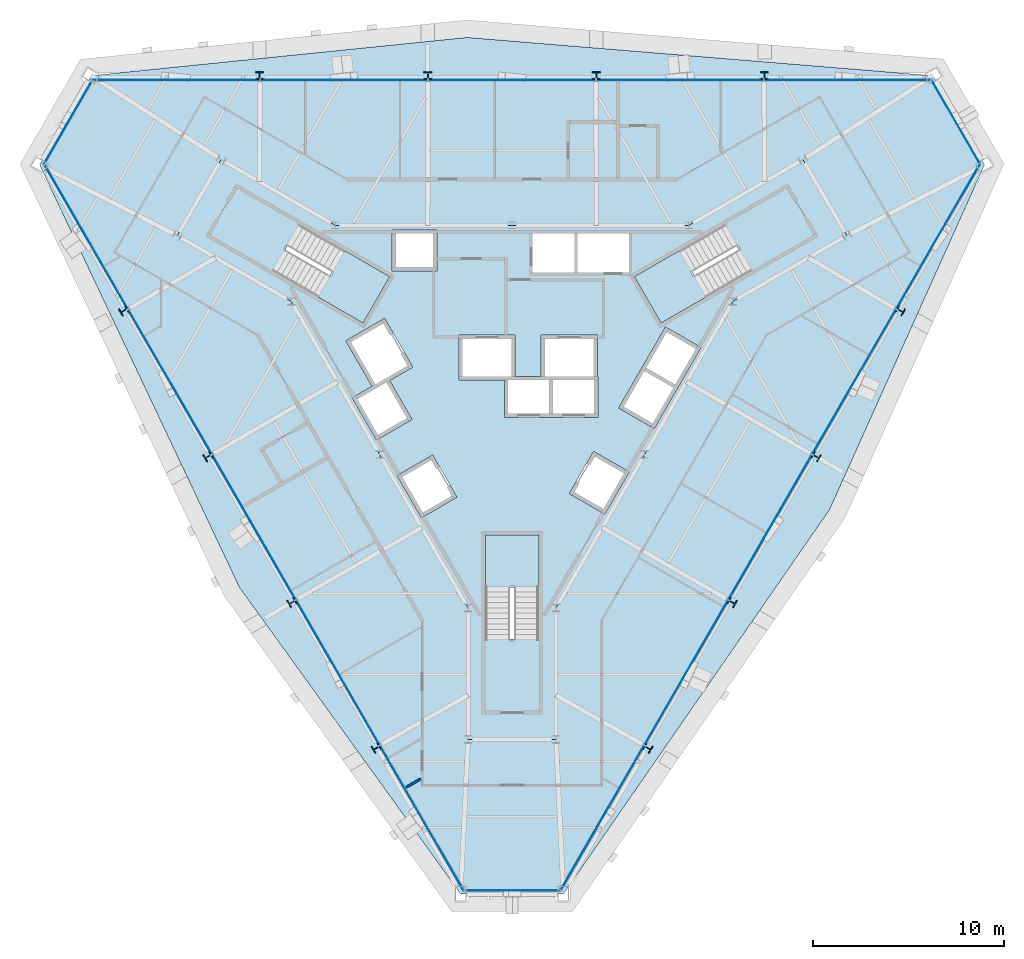
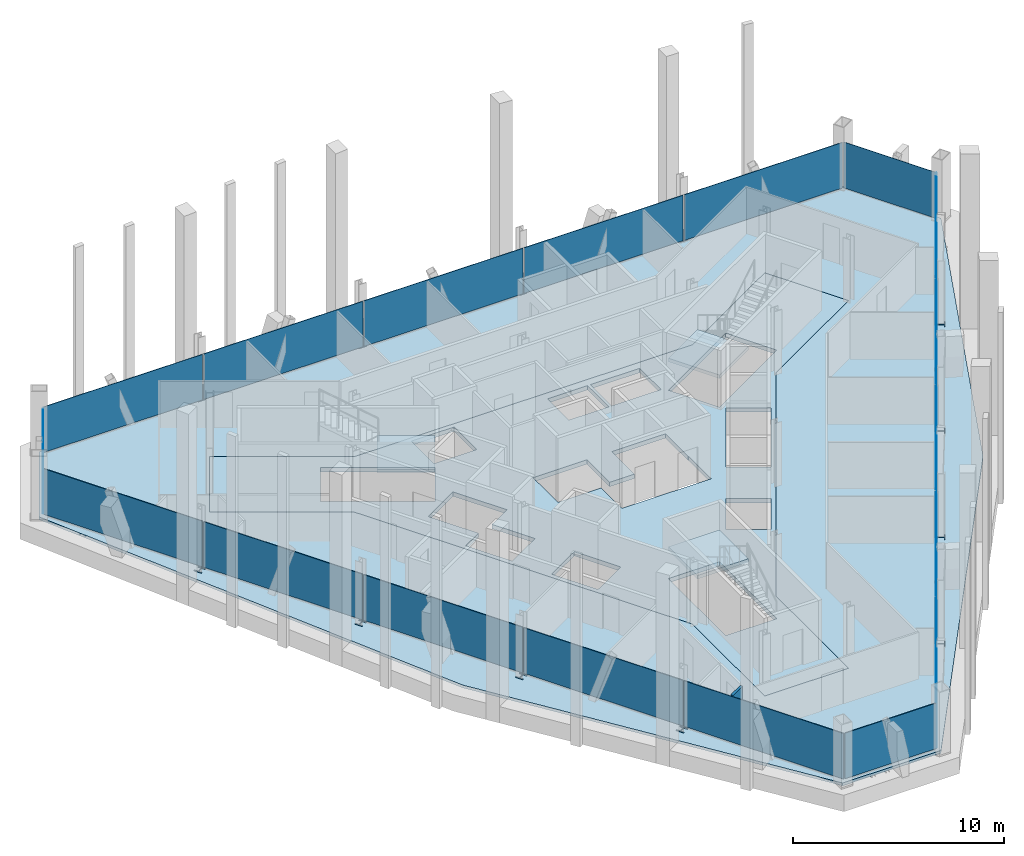
# One storey, part 8 of 14: 18 plates, 12 members, 5 slabs, 1 wall, 9 elements without a shape of their own.
"""IFC4 building model written with IfcOpenShell, lengths in metres."""

import ifcopenshell
import ifcopenshell.guid

model = None  # the IFC model being written
_history = None  # IfcOwnerHistory: only IFC2X3 demands one
_inside = {}  # id of a spatial element -> (the spatial element, [elements in it])
_under = {}  # id of a project, library or spatial element -> (it, [spatial elements below it])
_declared = {}  # id of a project -> (the project, [libraries it declares])
_typed = {}  # id of a type object -> (the type object, [elements of that type])
_made_of = {}  # id of a material, layer set ... -> (it, [elements and type objects made of it])


def new_model(schema):
    """Start an empty IFC model of exactly this schema.

    Asked for "IFC4X3", IfcOpenShell would pick the latest addendum, in which some entities
    have other attributes; the version numbers below select the first issue.
    IFC2X3 requires an IfcOwnerHistory on every rooted entity: one is made here for all.
    """
    global model, _history
    if schema == "IFC4X3":
        model = ifcopenshell.file(schema_version=(4, 3, 0, 0))
    else:
        model = ifcopenshell.file(schema=schema)
    _inside.clear()
    _under.clear()
    _declared.clear()
    _typed.clear()
    _made_of.clear()
    _history = None
    if model.schema == "IFC2X3":
        org = make("IfcOrganization", Name="unknown")
        user = make(
            "IfcPersonAndOrganization",
            ThePerson=make("IfcPerson", FamilyName="unknown"),
            TheOrganization=org,
        )
        app = make(
            "IfcApplication",
            ApplicationDeveloper=org,
            Version="unknown",
            ApplicationFullName="unknown",
            ApplicationIdentifier="unknown",
        )
        _history = make(
            "IfcOwnerHistory",
            OwningUser=user,
            OwningApplication=app,
            ChangeAction="ADDED",
            CreationDate=0,
        )
    return model


def make(cls, **values):
    """One entity of the class cls with the attributes given. An attribute that is None is left unset."""
    return model.create_entity(
        cls, **{name: value for name, value in values.items() if value is not None}
    )


def rooted(cls, **values):
    """An entity with a GlobalId (a new one), such as an element, a storey or a relation."""
    return make(cls, GlobalId=ifcopenshell.guid.new(), OwnerHistory=_history, **values)


def si_unit(unit_type, name, prefix=None):
    """IfcSIUnit, for example si_unit("LENGTHUNIT", "METRE", prefix="MILLI")."""
    return make("IfcSIUnit", UnitType=unit_type, Prefix=prefix, Name=name)


def assignment(units):
    """IfcUnitAssignment: the units of a project."""
    return None if units is None else make("IfcUnitAssignment", Units=units)


def point(xyz):
    """IfcCartesianPoint."""
    return None if xyz is None else make("IfcCartesianPoint", Coordinates=xyz)


def direction(xyz):
    """IfcDirection."""
    return None if xyz is None else make("IfcDirection", DirectionRatios=xyz)


def frame(location, z_axis=None, x_axis=None):
    """IfcAxis2Placement3D, a coordinate frame: its origin and axes. An axis left out is left unset."""
    return make(
        "IfcAxis2Placement3D",
        Location=point(location),
        Axis=direction(z_axis),
        RefDirection=direction(x_axis),
    )


def frame_2d(location, x_axis=None):
    """IfcAxis2Placement2D, a coordinate frame in the plane: its origin and x axis."""
    return make(
        "IfcAxis2Placement2D", Location=point(location), RefDirection=direction(x_axis)
    )


def origin():
    """The frame at (0, 0, 0) with its axes left unset."""
    return frame((0.0, 0.0, 0.0))


def origin_2d():
    """The frame at (0, 0) in the plane with its x axis left unset."""
    return frame_2d((0.0, 0.0))


def place(relative_to, where):
    """IfcLocalPlacement: puts the frame where relative to a parent placement (None: the world)."""
    return make(
        "IfcLocalPlacement", PlacementRelTo=relative_to, RelativePlacement=where
    )


def context(
    kind, dimensions, precision=None, world=None, true_north=None, identifier=None
):
    """IfcGeometricRepresentationContext, for example the 3D "Model" context."""
    return make(
        "IfcGeometricRepresentationContext",
        ContextIdentifier=identifier,
        ContextType=kind,
        CoordinateSpaceDimension=dimensions,
        Precision=precision,
        WorldCoordinateSystem=world,
        TrueNorth=true_north,
    )


def subcontext(parent, identifier, kind, view, scale=None):
    """IfcGeometricRepresentationSubContext, for example "Body" below "Model"."""
    return make(
        "IfcGeometricRepresentationSubContext",
        ContextIdentifier=identifier,
        ContextType=kind,
        ParentContext=parent,
        TargetScale=scale,
        TargetView=view,
    )


def project(units=None, contexts=None):
    """IfcProject with its units and contexts."""
    return rooted(
        "IfcProject",
        Name="project",
        RepresentationContexts=contexts,
        UnitsInContext=assignment(units),
    )


def spatial(cls, under=None, at=None, **own):
    """A site, building, storey or space (cls), placed at a placement, below another one or the project."""
    s = rooted(cls, ObjectPlacement=at, **own)
    if under is not None:
        _under.setdefault(under.id(), (under, []))[1].append(s)
    return s


def polyline(points):
    """IfcPolyline through the points."""
    return make("IfcPolyline", Points=[point(p) for p in points])


def profile(cls, at=None, kind="AREA", **sizes):
    """A parametric profile (cls). Its sizes go by their IFC names, for example OverallWidth=200.0."""
    return make(cls, ProfileType=kind, Position=at, **sizes)


def rectangle(**sizes):
    """IfcRectangleProfileDef."""
    return profile("IfcRectangleProfileDef", **sizes)


def i_section(**sizes):
    """IfcIShapeProfileDef."""
    return profile("IfcIShapeProfileDef", **sizes)


def outline(outer, holes=None, kind="AREA"):
    """IfcArbitraryClosedProfileDef: a profile drawn as a closed curve; with holes, ...WithVoids."""
    if holes is None:
        return make("IfcArbitraryClosedProfileDef", ProfileType=kind, OuterCurve=outer)
    return make(
        "IfcArbitraryProfileDefWithVoids",
        ProfileType=kind,
        OuterCurve=outer,
        InnerCurves=holes,
    )


def extrude(swept, where, along, depth):
    """IfcExtrudedAreaSolid: the profile swept, set in the frame where, extruded along a direction by depth."""
    return make(
        "IfcExtrudedAreaSolid",
        SweptArea=swept,
        Position=where,
        ExtrudedDirection=direction(along),
        Depth=depth,
    )


def shape(context_of_items, identifier, shape_type, items):
    """IfcShapeRepresentation: the items that make up one representation, for example the "Body"."""
    return make(
        "IfcShapeRepresentation",
        ContextOfItems=context_of_items,
        RepresentationIdentifier=identifier,
        RepresentationType=shape_type,
        Items=items,
    )


def material(Name=None, Category=None):
    """IfcMaterial."""
    return make("IfcMaterial", Name=Name, Category=Category)


def layer(
    of_material, thickness, ventilated=None, Name=None, Category=None, Priority=None
):
    """IfcMaterialLayer: one layer of a wall or slab, of a material (None: an air gap)."""
    return make(
        "IfcMaterialLayer",
        Material=of_material,
        LayerThickness=thickness,
        IsVentilated=ventilated,
        Name=Name,
        Category=Category,
        Priority=Priority,
    )


def layer_set(layers, Name=None):
    """IfcMaterialLayerSet."""
    return make("IfcMaterialLayerSet", MaterialLayers=layers, LayerSetName=Name)


def material_profile(
    of_material, cross_section, Name=None, Category=None, Priority=None
):
    """IfcMaterialProfile: a cross section and its material."""
    return make(
        "IfcMaterialProfile",
        Name=Name,
        Material=of_material,
        Profile=cross_section,
        Priority=Priority,
        Category=Category,
    )


def profile_set(profiles, Name=None, composite=None):
    """IfcMaterialProfileSet."""
    return make(
        "IfcMaterialProfileSet",
        Name=Name,
        MaterialProfiles=profiles,
        CompositeProfile=composite,
    )


def made_of(thing, what):
    """Note that an element or type object is made of a material, layer set ...; save() writes the relation."""
    if what is not None:
        _made_of.setdefault(what.id(), (what, []))[1].append(thing)
    return thing


def type_object(cls, material=None, **own):
    """A type object (cls), such as IfcWallType, which elements share."""
    return made_of(rooted(cls, **own), material)


def element(
    cls,
    number,
    at=None,
    inside=None,
    cuts=None,
    type_object=None,
    material=None,
    context=None,
    identifier="Body",
    shape_type=None,
    held_by="IfcProductDefinitionShape",
    body=None,
    shapes=None,
    **own,
):
    """One element of the class cls, such as IfcWall. Its Tag is "e" and its number.

    at: its placement. inside: the storey or other place that contains it. cuts: it is an
    opening in that element (IfcRelVoidsElement). A single representation is given by context,
    identifier, shape_type and body (its items); several are given by shapes. held_by: the class
    of the entity that holds the representations. save() writes the other relations.
    """
    e = rooted(cls, Tag="e%d" % number, ObjectPlacement=at, **own)
    if body is not None:
        shapes = [shape(context, identifier, shape_type, body)]
    if shapes is not None:
        e.Representation = make(held_by, Representations=shapes)
    if inside is not None:
        _inside.setdefault(inside.id(), (inside, []))[1].append(e)
    if cuts is not None:
        rooted(
            "IfcRelVoidsElement", RelatingBuildingElement=cuts, RelatedOpeningElement=e
        )
    if type_object is not None:
        _typed.setdefault(type_object.id(), (type_object, []))[1].append(e)
    return made_of(e, material)


def aggregate(whole, parts):
    """IfcRelAggregates: a whole, such as a stair, and the parts it consists of."""
    return rooted("IfcRelAggregates", RelatingObject=whole, RelatedObjects=parts)


def save(model, path):
    """Write the relations noted so far, then the file.

    IfcRelAggregates (storeys below a building ...), IfcRelContainedInSpatialStructure (elements
    in a storey), IfcRelDefinesByType, IfcRelAssociatesMaterial and IfcRelDeclares: one each for
    every whole, place, type object, material and project.
    """
    for whole, parts in _under.values():
        aggregate(whole, parts)
    for where, things in _inside.values():
        rooted(
            "IfcRelContainedInSpatialStructure",
            RelatedElements=things,
            RelatingStructure=where,
        )
    for kind, things in _typed.values():
        rooted("IfcRelDefinesByType", RelatedObjects=things, RelatingType=kind)
    for what, things in _made_of.values():
        rooted("IfcRelAssociatesMaterial", RelatedObjects=things, RelatingMaterial=what)
    for by, libraries in _declared.values():
        rooted("IfcRelDeclares", RelatingContext=by, RelatedDefinitions=libraries)
    model.write(path)


model = new_model("IFC4")

# Units and contexts
model_context = context("Model", 3, precision=1e-05, world=origin(), true_north=direction((0.0, 1.0)))
body_context = subcontext(model_context, "Body", "Model", "MODEL_VIEW")
ifc_project = project(units=[si_unit("LENGTHUNIT", "METRE"), si_unit("AREAUNIT", "SQUARE_METRE"), si_unit("VOLUMEUNIT", "CUBIC_METRE"), si_unit("PLANEANGLEUNIT", "RADIAN"), si_unit("MASSUNIT", "GRAM", prefix="KILO")], contexts=[model_context])

# Site, building, storey
site_placement = place(None, origin())
site = spatial("IfcSite", under=ifc_project, at=site_placement, CompositionType="ELEMENT")
building_placement = place(site_placement, origin())
building = spatial("IfcBuilding", under=site, at=building_placement, Name="Verrane Prism Tower", CompositionType="ELEMENT")
storey_placement = place(building_placement, frame((0.0, 0.0, 217.5)))
storey = spatial("IfcBuildingStorey", under=building, at=storey_placement, Name="L54", CompositionType="ELEMENT", Elevation=217.5)

# Members
ifc_material_1 = material(Name="Steel A992", Category="steel")
ifc_material_profile = material_profile(ifc_material_1, i_section(OverallWidth=0.4013671875, OverallDepth=0.398681640625, WebThickness=0.02490234375, FlangeThickness=0.03955078125, FilletRadius=0.01513671875, at=origin_2d()), Name="W14x211")
ifc_profile_set = profile_set([ifc_material_profile], Name="Steel A992")
member_type = type_object("IfcMemberType", Name="Kink node W14x211", PredefinedType="COLLAR", material=ifc_profile_set)
member_1_placement = place(storey_placement, frame((13.21875, 15.826171875, -0.0400390625), z_axis=(0.0, 0.0, 1.0), x_axis=(1.0, 0.0, 0.0)))
element("IfcMember", 1, at=member_1_placement, inside=storey, type_object=member_type, Name="Kink node PC8 L54", PredefinedType="COLLAR", context=body_context, shape_type="SweptSolid", body=[
    extrude(i_section(OverallWidth=0.4013671875, OverallDepth=0.398681640625, WebThickness=0.02490234375, FlangeThickness=0.03955078125, FilletRadius=0.01513671875, at=origin_2d()), origin(), (0.0, 0.0, 1.0), 0.080078125),
])
for number, where, z_axis, x_axis, name in (
    (2, (4.409423828125, 15.82666015625, -0.034912109375), (0.0, 0.0, 1.0), (1.0, 0.0, 0.0), "Kink node PC8 L54"),
    (3, (-4.409423828125, 15.82666015625, -0.034912109375), (0.0, 0.0, 1.0), (1.0, 0.0, 0.0), "Kink node PC8 L54"),
):
    element("IfcMember", number, at=place(storey_placement, frame(where, z_axis=z_axis, x_axis=x_axis)), inside=storey, type_object=member_type, Name=name, PredefinedType="COLLAR", context=body_context, shape_type="SweptSolid", body=[
        extrude(i_section(OverallWidth=0.4013671875, OverallDepth=0.398681640625, WebThickness=0.02490234375, FlangeThickness=0.03955078125, FilletRadius=0.01513671875, at=origin_2d()), origin(), (0.0, 0.0, 1.0), 0.06982421875),
    ])
member_2_placement = place(storey_placement, frame((-13.21875, 15.826171875, -0.0400390625), z_axis=(0.0, 0.0, 1.0), x_axis=(1.0, 0.0, 0.0)))
element("IfcMember", 4, at=member_2_placement, inside=storey, type_object=member_type, Name="Kink node PC8 L54", PredefinedType="COLLAR", context=body_context, shape_type="SweptSolid", body=[
    extrude(i_section(OverallWidth=0.4013671875, OverallDepth=0.398681640625, WebThickness=0.02490234375, FlangeThickness=0.03955078125, FilletRadius=0.01513671875, at=origin_2d()), origin(), (0.0, 0.0, 1.0), 0.080078125),
])
for number, where, z_axis, x_axis, name in (
    (5, (7.09765625, -19.357421875, -0.034912109375), (0.0, 0.0, 1.0), (-0.5, -0.866025403784, 0.0), "Kink node PC8 L54"),
    (6, (11.50732421875, -11.72802734375, -0.034912109375), (0.0, 0.0, 1.0), (-0.5, -0.866025403784, 0.0), "Kink node PC8 L54"),
    (7, (15.906982421875, -4.0986328125, -0.034912109375), (0.0, 0.0, 1.0), (-0.5, -0.866025403784, 0.0), "Kink node PC8 L54"),
):
    element("IfcMember", number, at=place(storey_placement, frame(where, z_axis=z_axis, x_axis=x_axis)), inside=storey, type_object=member_type, Name=name, PredefinedType="COLLAR", context=body_context, shape_type="SweptSolid", body=[
        extrude(i_section(OverallWidth=0.4013671875, OverallDepth=0.398681640625, WebThickness=0.02490234375, FlangeThickness=0.03955078125, FilletRadius=0.01513671875, at=origin_2d()), origin(), (0.0, 0.0, 1.0), 0.06982421875),
    ])
for number, where, z_axis, x_axis, name in (
    (8, (20.316162109375, 3.53076171875, -0.0400390625), (0.0, 0.0, 1.0), (-0.5, -0.866025403784, 0.0), "Kink node PC8 L54"),
    (9, (-20.316162109375, 3.53076171875, -0.0400390625), (0.0, 0.0, 1.0), (-0.5, 0.866025403784, 0.0), "Kink node PC8 L54"),
):
    element("IfcMember", number, at=place(storey_placement, frame(where, z_axis=z_axis, x_axis=x_axis)), inside=storey, type_object=member_type, Name=name, PredefinedType="COLLAR", context=body_context, shape_type="SweptSolid", body=[
        extrude(i_section(OverallWidth=0.4013671875, OverallDepth=0.398681640625, WebThickness=0.02490234375, FlangeThickness=0.03955078125, FilletRadius=0.01513671875, at=origin_2d()), origin(), (0.0, 0.0, 1.0), 0.080078125),
    ])
for number, where, z_axis, x_axis, name in (
    (10, (-15.906982421875, -4.0986328125, -0.034912109375), (0.0, 0.0, 1.0), (-0.5, 0.866025403784, 0.0), "Kink node PC8 L54"),
    (11, (-11.50732421875, -11.72802734375, -0.034912109375), (0.0, 0.0, 1.0), (-0.5, 0.866025403784, 0.0), "Kink node PC8 L54"),
    (12, (-7.09765625, -19.357421875, -0.034912109375), (0.0, 0.0, 1.0), (-0.5, 0.866025403784, 0.0), "Kink node PC8 L54"),
):
    element("IfcMember", number, at=place(storey_placement, frame(where, z_axis=z_axis, x_axis=x_axis)), inside=storey, type_object=member_type, Name=name, PredefinedType="COLLAR", context=body_context, shape_type="SweptSolid", body=[
        extrude(i_section(OverallWidth=0.4013671875, OverallDepth=0.398681640625, WebThickness=0.02490234375, FlangeThickness=0.03955078125, FilletRadius=0.01513671875, at=origin_2d()), origin(), (0.0, 0.0, 1.0), 0.06982421875),
    ])

# Slabs
ifc_material_2 = material(Name="Concrete C35/45", Category="concrete")
ifc_layer_1 = layer(ifc_material_2, 0.159912109375)
ifc_layer_set_1 = layer_set([ifc_layer_1], Name="Composite floor slab")
slab_type_1 = type_object("IfcSlabType", Name="Composite floor slab", PredefinedType="FLOOR", material=ifc_layer_set_1)
slab_1_placement = place(storey_placement, frame((0.0, 0.0, -0.159912109375)))
element("IfcSlab", 13, at=slab_1_placement, inside=storey, type_object=slab_type_1, Name="Floor slab L54", PredefinedType="FLOOR", context=body_context, shape_type="SweptSolid", body=[
    extrude(outline(polyline([(16.6162109375, -6.880126953125), (2.695068359375, -26.9921875), (-2.695068359375, -26.9921875), (-14.266357421875, -10.949951171875), (-24.723388671875, 11.162109375), (-22.0283203125, 15.830078125), (-2.349609375, 17.830078125), (22.0283203125, 15.830078125), (24.723388671875, 11.162109375), (16.6162109375, -6.880126953125)]), holes=[polyline([(17.52001953125, 7.4599609375), (15.219970703125, 11.43994140625), (9.260009765625, 8.0), (0.0, 8.0), (-9.260009765625, 8.0), (-15.219970703125, 11.43994140625), (-17.52001953125, 7.4599609375), (-11.56005859375, 4.02001953125), (-6.929931640625, -4.0), (-2.300048828125, -12.02001953125), (-2.300048828125, -18.89990234375), (2.300048828125, -18.89990234375), (2.300048828125, -12.02001953125), (6.929931640625, -4.0), (11.56005859375, 4.02001953125), (17.52001953125, 7.4599609375)])]), origin(), (0.0, 0.0, 1.0), 0.159912109375),
])
ifc_material_3 = material(Name="Concrete C40/50", Category="concrete")
ifc_layer_2 = layer(ifc_material_3, 0.25)
ifc_layer_set_2 = layer_set([ifc_layer_2], Name="Core floor slab 250 concrete C40/50")
slab_type_2 = type_object("IfcSlabType", Name="Core floor slab 250 concrete C40/50", PredefinedType="FLOOR", material=ifc_layer_set_2)
slab_2_placement = place(storey_placement, frame((0.0, 0.0, -0.25)))
element("IfcSlab", 14, at=slab_2_placement, inside=storey, type_object=slab_type_2, Name="Core floor L54", PredefinedType="FLOOR", context=body_context, shape_type="SweptSolid", body=[
    extrude(outline(polyline([(11.56005859375, 4.02001953125), (17.52001953125, 7.4599609375), (15.219970703125, 11.43994140625), (9.260009765625, 8.0), (0.0, 8.0), (-9.260009765625, 8.0), (-15.219970703125, 11.43994140625), (-17.52001953125, 7.4599609375), (-11.56005859375, 4.02001953125), (-6.929931640625, -4.0), (-2.300048828125, -12.02001953125), (-2.300048828125, -18.89990234375), (2.300048828125, -18.89990234375), (2.300048828125, -12.02001953125), (6.929931640625, -4.0), (11.56005859375, 4.02001953125)]), holes=[polyline([(1.39990234375, -8.199951171875), (1.39990234375, -13.639892578125), (-1.39990234375, -13.639892578125), (-1.39990234375, -8.199951171875), (1.39990234375, -8.199951171875)]), polyline([(-2.881103515625, -6.22998046875), (-4.742919921875, -7.304931640625), (-6.01806640625, -5.096923828125), (-4.156005859375, -4.02197265625), (-2.881103515625, -6.22998046875)]), polyline([(-7.801025390625, 2.887939453125), (-12.512939453125, 5.60791015625), (-11.113037109375, 8.031982421875), (-6.40087890625, 5.31201171875), (-7.801025390625, 2.887939453125)]), polyline([(-6.284912109375, 5.610107421875), (-6.284912109375, 7.760009765625), (-3.93505859375, 7.760009765625), (-3.93505859375, 5.610107421875), (-6.284912109375, 5.610107421875)]), polyline([(4.26611328125, -3.8310546875), (6.1279296875, -4.906005859375), (4.85302734375, -7.114990234375), (2.990966796875, -6.0400390625), (4.26611328125, -3.8310546875)]), polyline([(7.43798828125, -2.636962890625), (5.575927734375, -1.56201171875), (8.02587890625, 2.680908203125), (9.887939453125, 1.60595703125), (7.43798828125, -2.636962890625)]), polyline([(0.1650390625, 0.10009765625), (1.52490234375, 0.10009765625), (1.52490234375, 2.25), (4.47509765625, 2.25), (4.47509765625, 0.10009765625), (4.4951171875, 0.10009765625), (4.4951171875, -2.050048828125), (-0.405029296875, -2.050048828125), (-0.405029296875, -0.10009765625), (-2.784912109375, -0.10009765625), (-2.784912109375, 2.25), (0.1650390625, 2.25), (0.1650390625, 0.10009765625)]), polyline([(6.40087890625, 5.31201171875), (11.113037109375, 8.031982421875), (12.512939453125, 5.60791015625), (7.801025390625, 2.887939453125), (6.40087890625, 5.31201171875)]), polyline([(1.074951171875, 5.534912109375), (1.074951171875, 7.56005859375), (3.264892578125, 7.56005859375), (3.264892578125, 5.534912109375), (1.074951171875, 5.534912109375)]), polyline([(3.4150390625, 7.56005859375), (6.125, 7.56005859375), (6.125, 5.534912109375), (3.4150390625, 5.534912109375), (3.4150390625, 7.56005859375)]), polyline([(-5.23095703125, -2.159912109375), (-7.093017578125, -3.235107421875), (-8.367919921875, -1.02587890625), (-7.3291015625, -0.426025390625), (-8.7041015625, 1.955078125), (-6.66796875, 3.1298828125), (-5.193115234375, 0.574951171875), (-6.406005859375, -0.125), (-5.23095703125, -2.159912109375)])]), origin(), (0.0, 0.0, 1.0), 0.25),
])

# Curtain wall, plate
ifc_material_4 = material(Name="Aluminium framed insulated glazing", Category="aluminium")
curtain_wall_type_1 = type_object("IfcCurtainWallType", Name="Curtain wall CW-C 4200 module", PredefinedType="NOTDEFINED", material=ifc_material_4)
curtain_wall_1_placement = place(storey_placement, origin())
curtain_wall_1 = element("IfcCurtainWall", 15, at=curtain_wall_1_placement, inside=storey, type_object=curtain_wall_type_1, Name="Glazed curtain wall north-east corner L54", PredefinedType="NOTDEFINED")
ifc_material_5 = material(Name="Low-iron insulating glass unit", Category="glass")
ifc_layer_3 = layer(ifc_material_5, 0.02392578125)
ifc_layer_set_3 = layer_set([ifc_layer_3], Name="Glazing panel IGU 24")
plate_type_1 = type_object("IfcPlateType", Name="Glazing panel IGU 24", PredefinedType="CURTAIN_PANEL", material=ifc_layer_set_3)
plate_1_placement = place(storey_placement, frame((23.209716796875, 13.428955078125, 0.0498046875), z_axis=(0.0, 0.0, 1.0), x_axis=(-0.499995175981, 0.866028188915, 0.0)))
plate_1 = element("IfcPlate", 16, at=plate_1_placement, type_object=plate_type_1, Name="CW54.1 panel 1", PredefinedType="CURTAIN_PANEL", context=body_context, shape_type="SweptSolid", body=[
    extrude(rectangle(XDim=5.017822265625, YDim=0.02392578125, at=origin_2d()), origin(), (0.0, 0.0, 1.0), 2.662841796875),
])
aggregate(curtain_wall_1, [plate_1])

# Curtain wall, plates
ifc_material_6 = material(Name="Aluminium framed insulated glazing", Category="aluminium")
curtain_wall_type_2 = type_object("IfcCurtainWallType", Name="Curtain wall CW-A 8400 module", PredefinedType="NOTDEFINED", material=ifc_material_6)
curtain_wall_2_placement = place(storey_placement, origin())
curtain_wall_2 = element("IfcCurtainWall", 17, at=curtain_wall_2_placement, inside=storey, type_object=curtain_wall_type_2, Name="Glazed curtain wall north face L54", PredefinedType="NOTDEFINED")
ifc_material_7 = material(Name="Low-iron insulating glass unit", Category="glass")
ifc_layer_4 = layer(ifc_material_7, 0.031982421875)
ifc_layer_set_4 = layer_set([ifc_layer_4], Name="Glazing panel IGU 32")
plate_type_2 = type_object("IfcPlateType", Name="Glazing panel IGU 32", PredefinedType="CURTAIN_PANEL", material=ifc_layer_set_4)
plate_2_placement = place(storey_placement, frame((17.546630859375, 15.601806640625, 0.06982421875), z_axis=(0.0, 0.0, 1.0), x_axis=(-1.0, 0.0, 0.0)))
plate_2 = element("IfcPlate", 18, at=plate_2_placement, type_object=plate_type_2, Name="CW54.2 panel 1", PredefinedType="CURTAIN_PANEL", context=body_context, shape_type="SweptSolid", body=[
    extrude(rectangle(XDim=8.677001953125, YDim=0.031982421875, at=origin_2d()), origin(), (0.0, 0.0, 1.0), 2.642822265625),
])
plate_3_placement = place(storey_placement, frame((8.7822265625, 15.601806640625, 0.06982421875), z_axis=(0.0, 0.0, 1.0), x_axis=(-1.0, 0.0, 0.0)))
plate_3 = element("IfcPlate", 19, at=plate_3_placement, type_object=plate_type_2, Name="CW54.2 panel 2", PredefinedType="CURTAIN_PANEL", context=body_context, shape_type="SweptSolid", body=[
    extrude(rectangle(XDim=8.712158203125, YDim=0.031982421875, at=origin_2d()), origin(), (0.0, 0.0, 1.0), 2.642822265625),
])
plate_4_placement = place(storey_placement, frame((0.0, 15.601806640625, 0.06982421875), z_axis=(0.0, 0.0, 1.0), x_axis=(-1.0, 0.0, 0.0)))
plate_4 = element("IfcPlate", 20, at=plate_4_placement, type_object=plate_type_2, Name="CW54.2 panel 3", PredefinedType="CURTAIN_PANEL", context=body_context, shape_type="SweptSolid", body=[
    extrude(rectangle(XDim=8.712158203125, YDim=0.031982421875, at=origin_2d()), origin(), (0.0, 0.0, 1.0), 2.642822265625),
])
plate_5_placement = place(storey_placement, frame((-8.7822265625, 15.601806640625, 0.06982421875), z_axis=(0.0, 0.0, 1.0), x_axis=(-1.0, 0.0, 0.0)))
plate_5 = element("IfcPlate", 21, at=plate_5_placement, type_object=plate_type_2, Name="CW54.2 panel 4", PredefinedType="CURTAIN_PANEL", context=body_context, shape_type="SweptSolid", body=[
    extrude(rectangle(XDim=8.712158203125, YDim=0.031982421875, at=origin_2d()), origin(), (0.0, 0.0, 1.0), 2.642822265625),
])
plate_6_placement = place(storey_placement, frame((-17.581787109375, 15.601806640625, 0.06982421875), z_axis=(0.0, 0.0, 1.0), x_axis=(-1.0, 0.0, 0.0)))
plate_6 = element("IfcPlate", 22, at=plate_6_placement, type_object=plate_type_2, Name="CW54.2 panel 5", PredefinedType="CURTAIN_PANEL", context=body_context, shape_type="SweptSolid", body=[
    extrude(rectangle(XDim=8.7470703125, YDim=0.031982421875, at=origin_2d()), origin(), (0.0, 0.0, 1.0), 2.642822265625),
])
aggregate(curtain_wall_2, [plate_2, plate_3, plate_4, plate_5, plate_6])

# Curtain wall, plate
curtain_wall_3_placement = place(storey_placement, origin())
curtain_wall_3 = element("IfcCurtainWall", 23, at=curtain_wall_3_placement, inside=storey, type_object=curtain_wall_type_2, Name="Glazed curtain wall north-west corner L54", PredefinedType="NOTDEFINED")
plate_7_placement = place(storey_placement, frame((-23.23974609375, 13.376953125, 0.06982421875), z_axis=(0.0, 0.0, 1.0), x_axis=(-0.499995175981, -0.866028188915, 0.0)))
plate_7 = element("IfcPlate", 24, at=plate_7_placement, type_object=plate_type_2, Name="CW54.3 panel 1", PredefinedType="CURTAIN_PANEL", context=body_context, shape_type="SweptSolid", body=[
    extrude(rectangle(XDim=4.997802734375, YDim=0.031982421875, at=origin_2d()), origin(), (0.0, 0.0, 1.0), 2.642822265625),
])
aggregate(curtain_wall_3, [plate_7])

# Curtain wall, plates
curtain_wall_4_placement = place(storey_placement, origin())
curtain_wall_4 = element("IfcCurtainWall", 25, at=curtain_wall_4_placement, inside=storey, type_object=curtain_wall_type_2, Name="Glazed curtain wall south-west face L54", PredefinedType="NOTDEFINED")
plate_8_placement = place(storey_placement, frame((-22.284912109375, 7.39501953125, 0.06982421875), z_axis=(0.0, 0.0, 1.0), x_axis=(0.500000937764, -0.866024862365, 0.0)))
plate_8 = element("IfcPlate", 26, at=plate_8_placement, type_object=plate_type_2, Name="CW54.4 panel 1", PredefinedType="CURTAIN_PANEL", context=body_context, shape_type="SweptSolid", body=[
    extrude(rectangle(XDim=8.677001953125, YDim=0.031982421875, at=origin_2d()), origin(), (0.0, 0.0, 1.0), 2.642822265625),
])
plate_9_placement = place(storey_placement, frame((-17.902587890625, -0.1953125, 0.06982421875), z_axis=(0.0, 0.0, 1.0), x_axis=(0.500000937764, -0.866024862365, 0.0)))
plate_9 = element("IfcPlate", 27, at=plate_9_placement, type_object=plate_type_2, Name="CW54.4 panel 2", PredefinedType="CURTAIN_PANEL", context=body_context, shape_type="SweptSolid", body=[
    extrude(rectangle(XDim=8.712158203125, YDim=0.031982421875, at=origin_2d()), origin(), (0.0, 0.0, 1.0), 2.642822265625),
])
plate_10_placement = place(storey_placement, frame((-13.511474609375, -7.80078125, 0.06982421875), z_axis=(0.0, 0.0, 1.0), x_axis=(0.500000937764, -0.866024862365, 0.0)))
plate_10 = element("IfcPlate", 28, at=plate_10_placement, type_object=plate_type_2, Name="CW54.4 panel 3", PredefinedType="CURTAIN_PANEL", context=body_context, shape_type="SweptSolid", body=[
    extrude(rectangle(XDim=8.712158203125, YDim=0.031982421875, at=origin_2d()), origin(), (0.0, 0.0, 1.0), 2.642822265625),
])
plate_11_placement = place(storey_placement, frame((-9.12060546875, -15.406494140625, 0.06982421875), z_axis=(0.0, 0.0, 1.0), x_axis=(0.500000937764, -0.866024862365, 0.0)))
plate_11 = element("IfcPlate", 29, at=plate_11_placement, type_object=plate_type_2, Name="CW54.4 panel 4", PredefinedType="CURTAIN_PANEL", context=body_context, shape_type="SweptSolid", body=[
    extrude(rectangle(XDim=8.712158203125, YDim=0.031982421875, at=origin_2d()), origin(), (0.0, 0.0, 1.0), 2.642822265625),
])
plate_12_placement = place(storey_placement, frame((-4.720703125, -23.027099609375, 0.06982421875), z_axis=(0.0, 0.0, 1.0), x_axis=(0.500000937764, -0.866024862365, 0.0)))
plate_12 = element("IfcPlate", 30, at=plate_12_placement, type_object=plate_type_2, Name="CW54.4 panel 5", PredefinedType="CURTAIN_PANEL", context=body_context, shape_type="SweptSolid", body=[
    extrude(rectangle(XDim=8.7470703125, YDim=0.031982421875, at=origin_2d()), origin(), (0.0, 0.0, 1.0), 2.642822265625),
])
aggregate(curtain_wall_4, [plate_8, plate_9, plate_10, plate_11, plate_12])

# Curtain wall, plate
curtain_wall_5_placement = place(storey_placement, origin())
curtain_wall_5 = element("IfcCurtainWall", 31, at=curtain_wall_5_placement, inside=storey, type_object=curtain_wall_type_2, Name="Glazed curtain wall south corner L54", PredefinedType="NOTDEFINED")
plate_13_placement = place(storey_placement, frame((0.034912109375, -26.814697265625, 0.06982421875), z_axis=(0.0, 0.0, 1.0), x_axis=(1.0, 0.0, 0.0)))
plate_13 = element("IfcPlate", 32, at=plate_13_placement, type_object=plate_type_2, Name="CW54.5 panel 1", PredefinedType="CURTAIN_PANEL", context=body_context, shape_type="SweptSolid", body=[
    extrude(rectangle(XDim=4.997802734375, YDim=0.031982421875, at=origin_2d()), origin(), (0.0, 0.0, 1.0), 2.642822265625),
])
aggregate(curtain_wall_5, [plate_13])

# Curtain wall, plates
curtain_wall_6_placement = place(storey_placement, origin())
curtain_wall_6 = element("IfcCurtainWall", 33, at=curtain_wall_6_placement, inside=storey, type_object=curtain_wall_type_2, Name="Glazed curtain wall south-east face L54", PredefinedType="NOTDEFINED")
plate_14_placement = place(storey_placement, frame((4.73828125, -22.996826171875, 0.06982421875), z_axis=(0.0, 0.0, 1.0), x_axis=(0.500000937764, 0.866024862365, 0.0)))
plate_14 = element("IfcPlate", 34, at=plate_14_placement, type_object=plate_type_2, Name="CW54.6 panel 1", PredefinedType="CURTAIN_PANEL", context=body_context, shape_type="SweptSolid", body=[
    extrude(rectangle(XDim=8.677001953125, YDim=0.031982421875, at=origin_2d()), origin(), (0.0, 0.0, 1.0), 2.642822265625),
])
plate_15_placement = place(storey_placement, frame((9.12060546875, -15.406494140625, 0.06982421875), z_axis=(0.0, 0.0, 1.0), x_axis=(0.500000937764, 0.866024862365, 0.0)))
plate_15 = element("IfcPlate", 35, at=plate_15_placement, type_object=plate_type_2, Name="CW54.6 panel 2", PredefinedType="CURTAIN_PANEL", context=body_context, shape_type="SweptSolid", body=[
    extrude(rectangle(XDim=8.712158203125, YDim=0.031982421875, at=origin_2d()), origin(), (0.0, 0.0, 1.0), 2.642822265625),
])
plate_16_placement = place(storey_placement, frame((13.511474609375, -7.80078125, 0.06982421875), z_axis=(0.0, 0.0, 1.0), x_axis=(0.500000937764, 0.866024862365, 0.0)))
plate_16 = element("IfcPlate", 36, at=plate_16_placement, type_object=plate_type_2, Name="CW54.6 panel 3", PredefinedType="CURTAIN_PANEL", context=body_context, shape_type="SweptSolid", body=[
    extrude(rectangle(XDim=8.712158203125, YDim=0.031982421875, at=origin_2d()), origin(), (0.0, 0.0, 1.0), 2.642822265625),
])
plate_17_placement = place(storey_placement, frame((17.902587890625, -0.1953125, 0.06982421875), z_axis=(0.0, 0.0, 1.0), x_axis=(0.500000937764, 0.866024862365, 0.0)))
plate_17 = element("IfcPlate", 37, at=plate_17_placement, type_object=plate_type_2, Name="CW54.6 panel 4", PredefinedType="CURTAIN_PANEL", context=body_context, shape_type="SweptSolid", body=[
    extrude(rectangle(XDim=8.712158203125, YDim=0.031982421875, at=origin_2d()), origin(), (0.0, 0.0, 1.0), 2.642822265625),
])
plate_18_placement = place(storey_placement, frame((22.302490234375, 7.42529296875, 0.06982421875), z_axis=(0.0, 0.0, 1.0), x_axis=(0.500000937764, 0.866024862365, 0.0)))
plate_18 = element("IfcPlate", 38, at=plate_18_placement, type_object=plate_type_2, Name="CW54.6 panel 5", PredefinedType="CURTAIN_PANEL", context=body_context, shape_type="SweptSolid", body=[
    extrude(rectangle(XDim=8.7470703125, YDim=0.031982421875, at=origin_2d()), origin(), (0.0, 0.0, 1.0), 2.642822265625),
])
aggregate(curtain_wall_6, [plate_14, plate_15, plate_16, plate_17, plate_18])

# Stair, slab
ifc_material_8 = material(Name="Concrete C40/50", Category="concrete")
stair_type = type_object("IfcStairType", Name="Exit stair 1300 dog-leg precast concrete C40/50", PredefinedType="HALF_TURN_STAIR", material=ifc_material_8)
stair_1_placement = place(storey_placement, origin())
stair_1 = element("IfcStair", 39, at=stair_1_placement, inside=storey, type_object=stair_type, Name="Stair 1 L54", PredefinedType="HALF_TURN_STAIR")
ifc_material_9 = material(Name="Concrete C40/50", Category="concrete")
ifc_layer_5 = layer(ifc_material_9, 0.199951171875)
ifc_layer_set_5 = layer_set([ifc_layer_5], Name="Stair landing 200 precast concrete C40/50")
slab_type_3 = type_object("IfcSlabType", Name="Stair landing 200 precast concrete C40/50", PredefinedType="LANDING", material=ifc_layer_set_5)
slab_3_placement = place(storey_placement, frame((0.0, 0.0, 1.64990234375)))
slab_3 = element("IfcSlab", 40, at=slab_3_placement, type_object=slab_type_3, Name="Stair 1 landing 1", PredefinedType="LANDING", context=body_context, shape_type="SweptSolid", body=[
    extrude(outline(polyline([(8.791748046875, 6.6923828125), (6.4013671875, 5.3125), (7.801513671875, 2.887451171875), (10.191650390625, 4.267578125), (8.791748046875, 6.6923828125)])), origin(), (0.0, 0.0, 1.0), 0.2001953125),
])
aggregate(stair_1, [slab_3])

stair_2_placement = place(storey_placement, origin())
stair_2 = element("IfcStair", 41, at=stair_2_placement, inside=storey, type_object=stair_type, Name="Stair 2 L54", PredefinedType="HALF_TURN_STAIR")
slab_4_placement = place(storey_placement, frame((0.0, 0.0, 1.64990234375)))
slab_4 = element("IfcSlab", 42, at=slab_4_placement, type_object=slab_type_3, Name="Stair 2 landing 1", PredefinedType="LANDING", context=body_context, shape_type="SweptSolid", body=[
    extrude(outline(polyline([(-10.191650390625, 4.267578125), (-7.801513671875, 2.887451171875), (-6.4013671875, 5.3125), (-8.791748046875, 6.6923828125), (-10.191650390625, 4.267578125)])), origin(), (0.0, 0.0, 1.0), 0.2001953125),
])
aggregate(stair_2, [slab_4])

stair_3_placement = place(storey_placement, origin())
stair_3 = element("IfcStair", 43, at=stair_3_placement, inside=storey, type_object=stair_type, Name="Stair 3 L54", PredefinedType="HALF_TURN_STAIR")
slab_5_placement = place(storey_placement, frame((0.0, 0.0, 1.64990234375)))
slab_5 = element("IfcSlab", 44, at=slab_5_placement, type_object=slab_type_3, Name="Stair 3 landing 1", PredefinedType="LANDING", context=body_context, shape_type="SweptSolid", body=[
    extrude(outline(polyline([(1.39990234375, -10.9599609375), (1.39990234375, -8.199951171875), (-1.39990234375, -8.199951171875), (-1.39990234375, -10.9599609375), (1.39990234375, -10.9599609375)])), origin(), (0.0, 0.0, 1.0), 0.2001953125),
])
aggregate(stair_3, [slab_5])

# Wall
ifc_material_10 = material(Name="Gypsum board partition", Category="other")
ifc_layer_6 = layer(ifc_material_10, 0.125)
ifc_layer_set_6 = layer_set([ifc_layer_6], Name="PW-125 corridor wall 1 h")
wall_type = type_object("IfcWallType", Name="PW-125 corridor wall 1 h", PredefinedType="PARTITIONING", material=ifc_layer_set_6)
wall_placement = place(storey_placement, frame((-5.5439453125, -21.4091796875, 0.0), z_axis=(0.0, 0.0, 1.0), x_axis=(0.866089597041, 0.499888797531, 0.0)))
element("IfcWall", 45, at=wall_placement, inside=storey, type_object=wall_type, Name="Corridor wall 017", PredefinedType="PARTITIONING", context=body_context, shape_type="SweptSolid", body=[
    extrude(rectangle(XDim=0.889404296875, YDim=0.125, at=frame_2d((0.44482421875, 0.0))), origin(), (0.0, 0.0, 1.0), 2.712890625),
])

save(model, "model.ifc")
